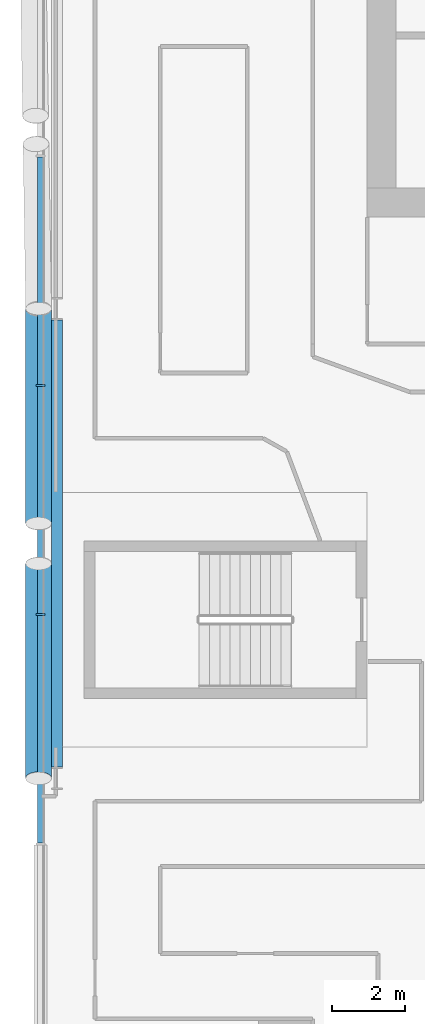
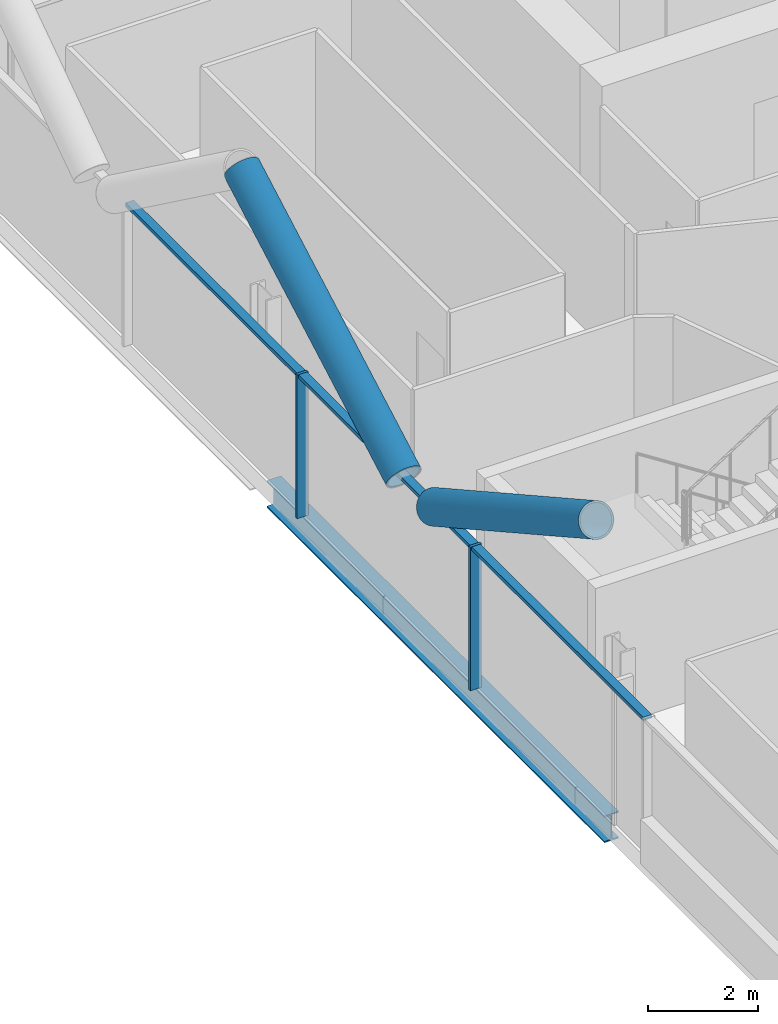
# One storey, part 7 of 28: 7 members, 1 beam, 1 element without a shape of its own.
"""IFC4 building model written with IfcOpenShell, lengths in metres."""

from ifc_helpers import new_model, si_unit, direction, frame, origin, origin_2d, place, context, subcontext, project, spatial, rectangle, hollow_circle, i_section, extrude, material, material_profile, profile_set, type_object, element, aggregate, save


model = new_model("IFC4")

# Units and contexts
model_context = context("Model", 3, precision=1e-05, world=origin(), true_north=direction((0.0, 1.0)))
body_context = subcontext(model_context, "Body", "Model", "MODEL_VIEW")
ifc_project = project(units=[si_unit("LENGTHUNIT", "METRE"), si_unit("AREAUNIT", "SQUARE_METRE"), si_unit("VOLUMEUNIT", "CUBIC_METRE"), si_unit("PLANEANGLEUNIT", "RADIAN"), si_unit("MASSUNIT", "GRAM", prefix="KILO")], contexts=[model_context])

# Site, building, storey
site_placement = place(None, origin())
site = spatial("IfcSite", under=ifc_project, at=site_placement, CompositionType="ELEMENT")
building_placement = place(site_placement, origin())
building = spatial("IfcBuilding", under=site, at=building_placement, Name="Wharfspan Tower", CompositionType="ELEMENT")
storey_placement = place(building_placement, frame((0.0, 0.0, 187.899902)))
storey = spatial("IfcBuildingStorey", under=building, at=storey_placement, Name="L46", CompositionType="ELEMENT", Elevation=187.899902)

# Beam
ifc_material_1 = material(Name="Steel S355J2", Category="steel")
ifc_material_profile_1 = material_profile(ifc_material_1, i_section(OverallWidth=0.300049, OverallDepth=0.600098, WebThickness=0.015381, FlangeThickness=0.030029, FilletRadius=0.0271, at=origin_2d()))
ifc_profile_set_1 = profile_set([ifc_material_profile_1], Name="Steel S355J2")
beam_type = type_object("IfcBeamType", Name="Edge beam HEB 600", PredefinedType="SPANDREL", material=ifc_profile_set_1)
beam_placement = place(storey_placement, frame((7.449951, 31.160645, -0.699951), z_axis=(0.0, -1.0, 0.0), x_axis=(1.0, 0.0, 0.0)))
element("IfcBeam", 1, at=beam_placement, inside=storey, type_object=beam_type, Name="Edge beam W L46 PW.1 to PW.2", PredefinedType="SPANDREL", context=body_context, shape_type="SweptSolid", body=[
    extrude(i_section(OverallWidth=0.300049, OverallDepth=0.600098, WebThickness=0.015381, FlangeThickness=0.030029, FilletRadius=0.0271, at=origin_2d()), origin(), (0.0, 0.0, 1.0), 12.321289),
])

# Curtain wall, members
ifc_material_2 = material(Name="Aluminium 6063-T6", Category="aluminium")
curtain_wall_type = type_object("IfcCurtainWallType", Name="CURTAIN WALL PROW AND END", PredefinedType="NOTDEFINED", material=ifc_material_2)
curtain_wall_placement = place(storey_placement, origin())
curtain_wall = element("IfcCurtainWall", 2, at=curtain_wall_placement, inside=storey, type_object=curtain_wall_type, Name="Curtain wall W", PredefinedType="NOTDEFINED")
ifc_material_profile_2 = material_profile(ifc_material_2, rectangle(XDim=0.23999, YDim=0.060059, at=origin_2d()))
ifc_profile_set_2 = profile_set([ifc_material_profile_2], Name="Aluminium 6063-T6")
member_type_1 = type_object("IfcMemberType", Name="MULLION PROW AND END 60x240", PredefinedType="MULLION", material=ifc_profile_set_2)
member_1_placement = place(storey_placement, frame((7.0, 29.360107, 0.0), z_axis=(0.0, 0.0, 1.0), x_axis=(1.0, 0.0, 0.0)))
member_1 = element("IfcMember", 3, at=member_1_placement, type_object=member_type_1, Name="Curtain wall W mullion 3", PredefinedType="MULLION", context=body_context, shape_type="SweptSolid", body=[
    extrude(rectangle(XDim=0.23999, YDim=0.060059, at=origin_2d()), origin(), (0.0, 0.0, 1.0), 3.200195),
])
member_2_placement = place(storey_placement, frame((7.0, 23.040039, 0.0), z_axis=(0.0, 0.0, 1.0), x_axis=(1.0, 0.0, 0.0)))
member_2 = element("IfcMember", 4, at=member_2_placement, type_object=member_type_1, Name="Curtain wall W mullion 4", PredefinedType="MULLION", context=body_context, shape_type="SweptSolid", body=[
    extrude(rectangle(XDim=0.23999, YDim=0.060059, at=origin_2d()), origin(), (0.0, 0.0, 1.0), 3.200195),
])

# Members
ifc_material_3 = material(Name="Steel S460NH", Category="steel")
ifc_material_profile_3 = material_profile(ifc_material_3, hollow_circle(Radius=0.355469, WallThickness=0.035889, at=origin_2d()))
ifc_profile_set_3 = profile_set([ifc_material_profile_3], Name="Steel S460NH")
member_type_2 = type_object("IfcMemberType", Name="Mega brace CHS 711x36", PredefinedType="BRACE", material=ifc_profile_set_3)
for number, where, z_axis, x_axis, name in (
    (5, (6.945068, 24.445557, 3.20874), (0.0, -0.873733, 0.486406), (1.0, 0.0, 0.0), "Mega brace W3 L46 part 2"),
    (6, (6.945068, 25.554443, 3.20874), (0.0, 0.873733, 0.486406), (-1.0, 0.0, 0.0), "Mega brace W3 L46 part 4"),
):
    element("IfcMember", number, at=place(storey_placement, frame(where, z_axis=z_axis, x_axis=x_axis)), inside=storey, type_object=member_type_2, Name=name, PredefinedType="BRACE", context=body_context, shape_type="SweptSolid", body=[
        extrude(hollow_circle(Radius=0.355469, WallThickness=0.035889, at=origin_2d()), origin(), (0.0, 0.0, 1.0), 6.766602),
    ])

# Member
ifc_material_profile_4 = material_profile(ifc_material_2, rectangle(XDim=0.179932, YDim=0.080078, at=origin_2d()))
ifc_profile_set_4 = profile_set([ifc_material_profile_4], Name="Aluminium 6063-T6")
member_type_3 = type_object("IfcMemberType", Name="TRANSOM PROW AND END 80x180", PredefinedType="USERDEFINED", material=ifc_profile_set_4)
member_3_placement = place(storey_placement, frame((7.0, 35.649902, 3.160156), z_axis=(0.0, -1.0, 0.0), x_axis=(1.0, 0.0, 0.0)))
member_3 = element("IfcMember", 7, at=member_3_placement, type_object=member_type_3, Name="Curtain wall W transom 2", ObjectType="TRANSOM", PredefinedType="USERDEFINED", context=body_context, shape_type="SweptSolid", body=[
    extrude(rectangle(XDim=0.179932, YDim=0.080078, at=origin_2d()), origin(), (0.0, 0.0, 1.0), 6.26001),
])

member_4_placement = place(storey_placement, frame((7.0, 29.330078, 3.160156), z_axis=(0.0, -1.0, 0.0), x_axis=(1.0, 0.0, 0.0)))
member_4 = element("IfcMember", 8, at=member_4_placement, type_object=member_type_3, Name="Curtain wall W transom 3", ObjectType="TRANSOM", PredefinedType="USERDEFINED", context=body_context, shape_type="SweptSolid", body=[
    extrude(rectangle(XDim=0.179932, YDim=0.080078, at=origin_2d()), origin(), (0.0, 0.0, 1.0), 6.26001),
])

member_5_placement = place(storey_placement, frame((7.0, 23.01001, 3.160156), z_axis=(0.0, -1.0, 0.0), x_axis=(1.0, 0.0, 0.0)))
member_5 = element("IfcMember", 9, at=member_5_placement, type_object=member_type_3, Name="Curtain wall W transom 4", ObjectType="TRANSOM", PredefinedType="USERDEFINED", context=body_context, shape_type="SweptSolid", body=[
    extrude(rectangle(XDim=0.179932, YDim=0.080078, at=origin_2d()), origin(), (0.0, 0.0, 1.0), 6.26001),
])

aggregate(curtain_wall, [member_1, member_2, member_3, member_4, member_5])

save(model, "model.ifc")
